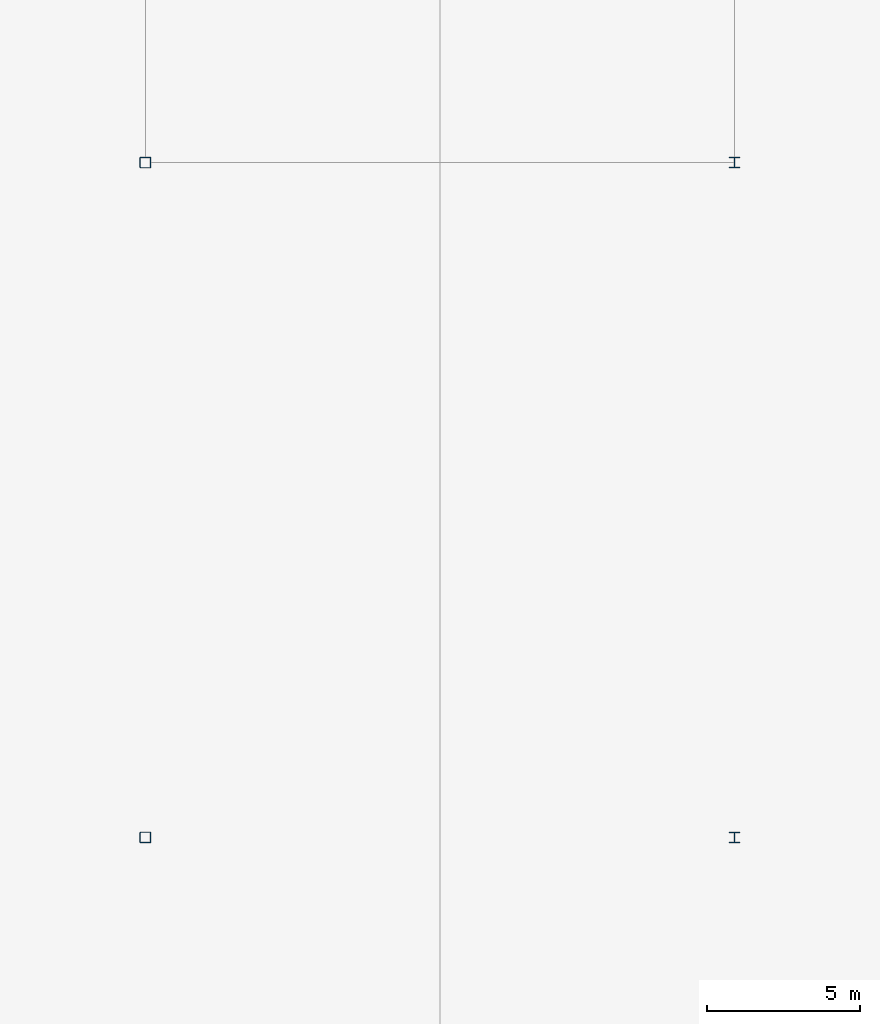
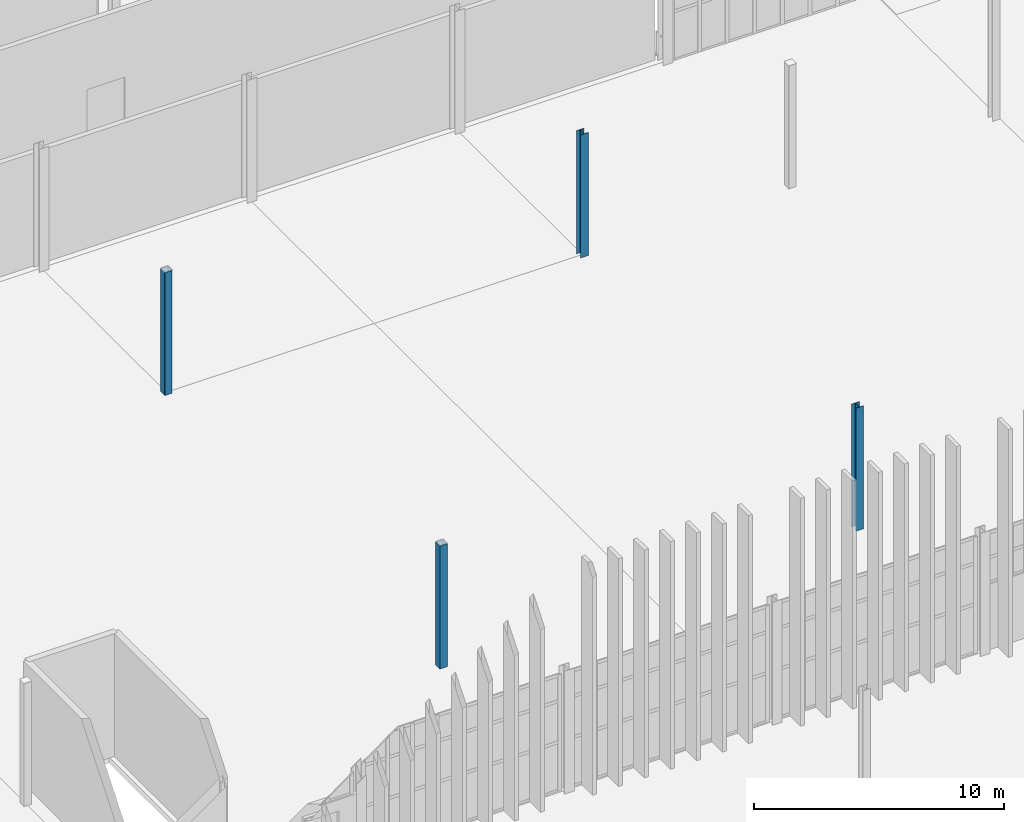
# One storey, part 13 of 139: 4 columns.
"""IFC4 building model written with IfcOpenShell, lengths in metres."""

from ifc_helpers import new_model, si_unit, direction, frame, origin, origin_2d, place, context, subcontext, project, spatial, hollow_rectangle, i_section, extrude, material, material_profile, profile_set, type_object, element, save


model = new_model("IFC4")

# Units and contexts
model_context = context("Model", 3, precision=1e-05, world=origin(), true_north=direction((0.0, 1.0)))
body_context = subcontext(model_context, "Body", "Model", "MODEL_VIEW")
ifc_project = project(units=[si_unit("LENGTHUNIT", "METRE"), si_unit("AREAUNIT", "SQUARE_METRE"), si_unit("VOLUMEUNIT", "CUBIC_METRE"), si_unit("PLANEANGLEUNIT", "RADIAN"), si_unit("MASSUNIT", "GRAM", prefix="KILO")], contexts=[model_context])

# Site, building, storey
site_placement = place(None, origin())
site = spatial("IfcSite", under=ifc_project, at=site_placement, CompositionType="ELEMENT")
building_placement = place(site_placement, origin())
building = spatial("IfcBuilding", under=site, at=building_placement, Name="Yeouljin Market Hall", CompositionType="ELEMENT")
storey_placement = place(building_placement, origin())
storey = spatial("IfcBuildingStorey", under=building, at=storey_placement, Name="L00", CompositionType="ELEMENT", Elevation=0.0)

# Columns
ifc_material_1 = material(Name="Steel SM355", Category="steel")
ifc_material_profile_1 = material_profile(ifc_material_1, i_section(OverallWidth=0.35009765625, OverallDepth=0.35009765625, WebThickness=0.011962890625, FlangeThickness=0.01904296875, FilletRadius=0.02001953125, at=origin_2d()), Name="H-350x350x12x19")
ifc_profile_set_1 = profile_set([ifc_material_profile_1], Name="Steel SM355")
column_type_1 = type_object("IfcColumnType", Name="Col_H-350x350x12x19", PredefinedType="COLUMN", material=ifc_profile_set_1)
for number, where, z_axis, x_axis, name in (
    (1, (121.800048828125, 46.0, 0.0), (0.0, 0.0, 1.0), (1.0, 0.0, 0.0), "Column G-14-05 (L00)"),
    (2, (121.800048828125, 68.0, 0.0), (0.0, 0.0, 1.0), (1.0, 0.0, 0.0), "Column G-14-07 (L00)"),
):
    element("IfcColumn", number, at=place(storey_placement, frame(where, z_axis=z_axis, x_axis=x_axis)), inside=storey, type_object=column_type_1, Name=name, PredefinedType="COLUMN", context=body_context, shape_type="SweptSolid", body=[
        extrude(i_section(OverallWidth=0.35009765625, OverallDepth=0.35009765625, WebThickness=0.011962890625, FlangeThickness=0.01904296875, FilletRadius=0.02001953125, at=origin_2d()), origin(), (0.0, 0.0, 1.0), 6.0),
    ])
ifc_material_2 = material(Name="Steel SM355", Category="steel")
ifc_material_profile_2 = material_profile(ifc_material_2, hollow_rectangle(XDim=0.35009765625, YDim=0.35009765625, WallThickness=0.011962890625, InnerFilletRadius=0.011962890625, OuterFilletRadius=0.01611328125, at=origin_2d()), Name="SHS-350x350x12")
ifc_profile_set_2 = profile_set([ifc_material_profile_2], Name="Steel SM355")
column_type_2 = type_object("IfcColumnType", Name="Col_SHS-350x350x12", PredefinedType="COLUMN", material=ifc_profile_set_2)
for number, where, z_axis, x_axis, name in (
    (3, (102.60009765625, 46.0, 0.0), (0.0, 0.0, 1.0), (1.0, 0.0, 0.0), "Column G-12-05 (L00)"),
    (4, (102.60009765625, 68.0, 0.0), (0.0, 0.0, 1.0), (1.0, 0.0, 0.0), "Column G-12-07 (L00)"),
):
    element("IfcColumn", number, at=place(storey_placement, frame(where, z_axis=z_axis, x_axis=x_axis)), inside=storey, type_object=column_type_2, Name=name, PredefinedType="COLUMN", context=body_context, shape_type="SweptSolid", body=[
        extrude(hollow_rectangle(XDim=0.35009765625, YDim=0.35009765625, WallThickness=0.011962890625, InnerFilletRadius=0.011962890625, OuterFilletRadius=0.01611328125, at=origin_2d()), origin(), (0.0, 0.0, 1.0), 6.0),
    ])

save(model, "model.ifc")
